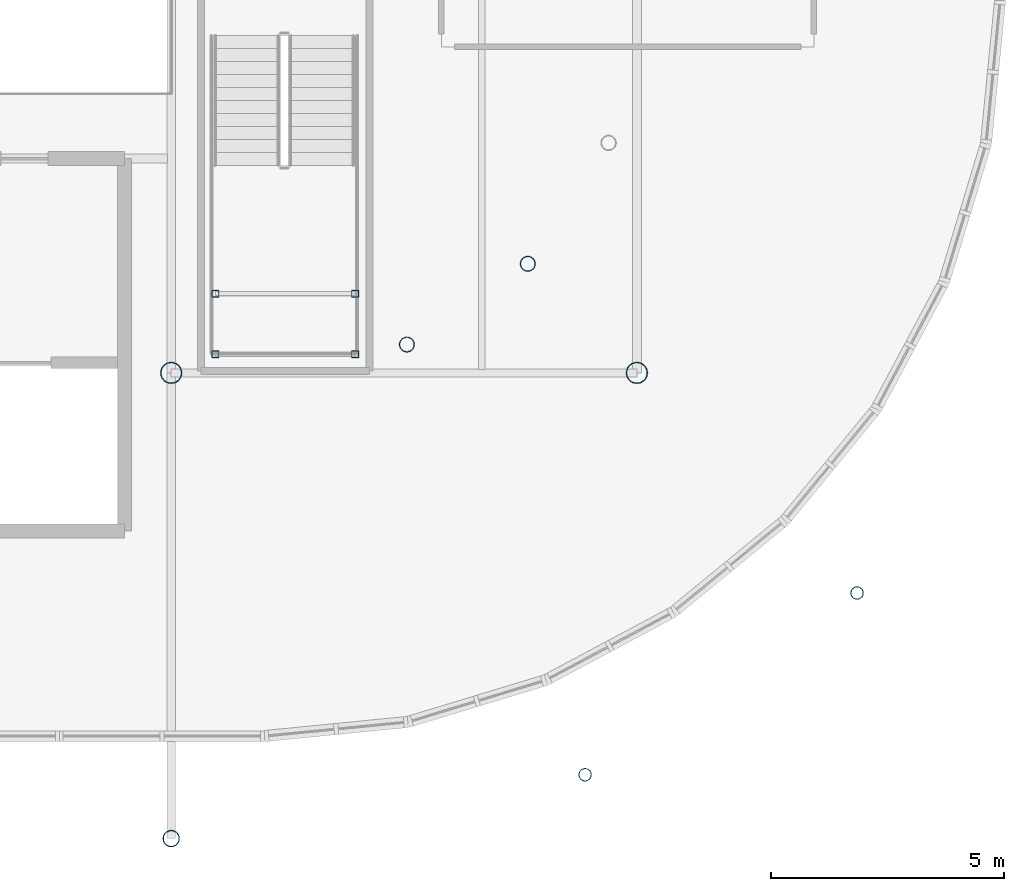
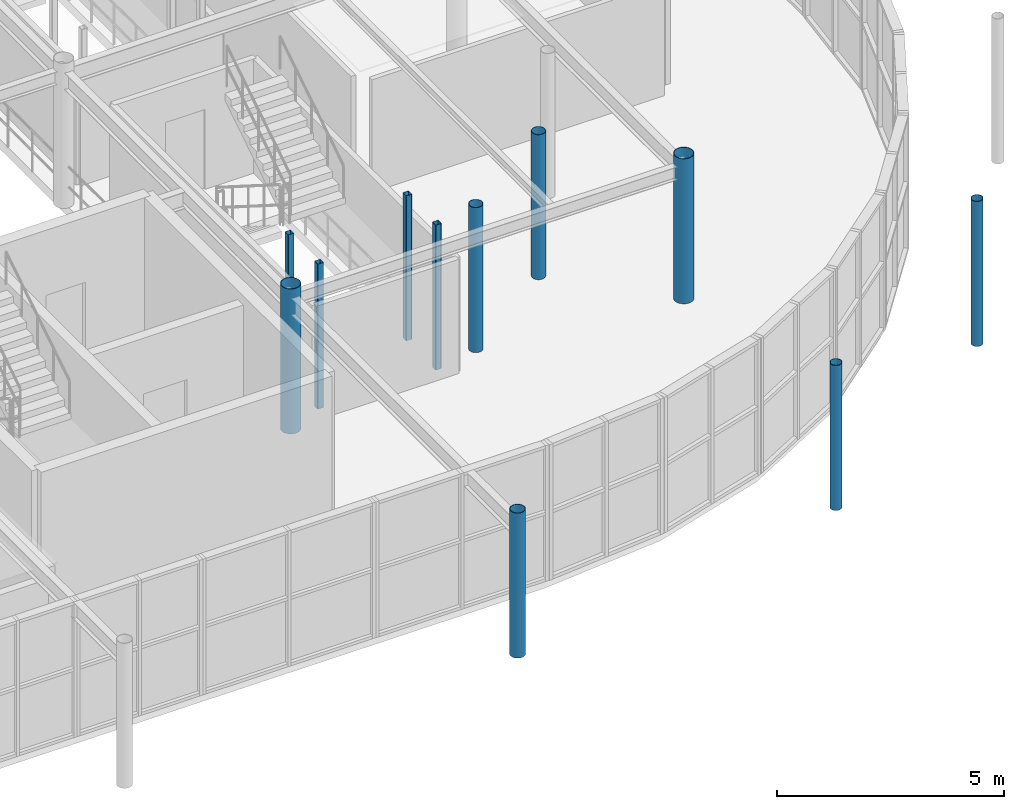
# One storey, part 27 of 98: 11 columns.
"""IFC4 building model written with IfcOpenShell, lengths in metres."""

from ifc_helpers import new_model, si_unit, derived_unit, direction, frame, origin, origin_2d_with_axis, place, context, subcontext, project, spatial, hollow_rectangle, hollow_circle, extrude, material, material_profile, profile_set, type_object, element, save


model = new_model("IFC4")

# Units and contexts
model_context = context("Model", 3, precision=1e-05, world=origin(), true_north=direction((0.0, 1.0)))
body_context = subcontext(model_context, "Body", "Model", "MODEL_VIEW")
ifc_project = project(units=[si_unit("LENGTHUNIT", "METRE"), si_unit("AREAUNIT", "SQUARE_METRE"), si_unit("VOLUMEUNIT", "CUBIC_METRE"), si_unit("PLANEANGLEUNIT", "RADIAN"), si_unit("MASSUNIT", "GRAM", prefix="KILO"), derived_unit("THERMALTRANSMITTANCEUNIT", [(si_unit("POWERUNIT", "WATT"), 1), (si_unit("LENGTHUNIT", "METRE"), -2), (si_unit("THERMODYNAMICTEMPERATUREUNIT", "KELVIN"), -1)])], contexts=[model_context])

# Site, building, storey
site_placement = place(None, origin())
site = spatial("IfcSite", under=ifc_project, at=site_placement, CompositionType="ELEMENT")
building_placement = place(site_placement, origin())
building = spatial("IfcBuilding", under=site, at=building_placement, Name="Cinnabar Yard Market Hall", CompositionType="ELEMENT")
storey_placement = place(building_placement, frame((0.0, 0.0, 4.5)))
storey = spatial("IfcBuildingStorey", under=building, at=storey_placement, Name="L01", CompositionType="ELEMENT", Elevation=4.5)

# Columns
ifc_material_1 = material(Name="Spotted-gum glulam-clad steel Grade 350 (350 MPa)", Category="steel")
ifc_material_profile_1 = material_profile(ifc_material_1, hollow_circle(Radius=0.228515625, WallThickness=0.0126953125, at=origin_2d_with_axis()), Name="457.0x12.7CHS")
ifc_profile_set_1 = profile_set([ifc_material_profile_1], Name="Spotted-gum glulam-clad steel Grade 350 (350 MPa)")
column_type_1 = type_object("IfcColumnType", Name="COL-C01", PredefinedType="COLUMN", material=ifc_profile_set_1)
for number, where, z_axis, x_axis, name in (
    (1, (146.0, 24.0, 0.0), (0.0, 0.0, 1.0), (1.0, 0.0, 0.0), "Tree Column V1I-08-01 L01"),
    (2, (156.0, 24.0, 0.0), (0.0, 0.0, 1.0), (1.0, 0.0, 0.0), "Tree Column V1I-09-01 L01"),
):
    element("IfcColumn", number, at=place(storey_placement, frame(where, z_axis=z_axis, x_axis=x_axis)), inside=storey, type_object=column_type_1, Name=name, PredefinedType="COLUMN", context=body_context, shape_type="SweptSolid", body=[
        extrude(hollow_circle(Radius=0.228515625, WallThickness=0.0126953125, at=origin_2d_with_axis()), origin(), (0.0, 0.0, 1.0), 3.89990234375),
    ])
ifc_material_profile_2 = material_profile(ifc_material_1, hollow_circle(Radius=0.177734375, WallThickness=0.0126953125, at=origin_2d_with_axis()), Name="355.6x12.7CHS")
ifc_profile_set_2 = profile_set([ifc_material_profile_2], Name="Spotted-gum glulam-clad steel Grade 350 (350 MPa)")
column_type_2 = type_object("IfcColumnType", Name="COL-C02E", PredefinedType="COLUMN", material=ifc_profile_set_2)
column_placement = place(storey_placement, frame((146.0, 14.0, 0.0), z_axis=(0.0, 0.0, 1.0), x_axis=(1.0, 0.0, 0.0)))
element("IfcColumn", 3, at=column_placement, inside=storey, type_object=column_type_2, Name="Tree Column V1S-07 L01", PredefinedType="COLUMN", context=body_context, shape_type="SweptSolid", body=[
    extrude(hollow_circle(Radius=0.177734375, WallThickness=0.0126953125, at=origin_2d_with_axis()), origin(), (0.0, 0.0, 1.0), 3.89990234375),
])
ifc_material_profile_3 = material_profile(ifc_material_1, hollow_circle(Radius=0.161865234375, WallThickness=0.009521484375, at=origin_2d_with_axis()), Name="323.9x9.5CHS")
ifc_profile_set_3 = profile_set([ifc_material_profile_3], Name="Spotted-gum glulam-clad steel Grade 350 (350 MPa)")
column_type_3 = type_object("IfcColumnType", Name="COL-C03", PredefinedType="COLUMN", material=ifc_profile_set_3)
for number, where, z_axis, x_axis, name in (
    (4, (151.0615234375, 24.60888671875, 0.0), (0.0, 0.0, 1.0), (1.0, 0.0, 0.0), "Tree Column V1IC-SE2 L01"),
    (5, (153.656982421875, 26.343017578125, 0.0), (0.0, 0.0, 1.0), (1.0, 0.0, 0.0), "Tree Column V1IC-SE4 L01"),
):
    element("IfcColumn", number, at=place(storey_placement, frame(where, z_axis=z_axis, x_axis=x_axis)), inside=storey, type_object=column_type_3, Name=name, PredefinedType="COLUMN", context=body_context, shape_type="SweptSolid", body=[
        extrude(hollow_circle(Radius=0.161865234375, WallThickness=0.009521484375, at=origin_2d_with_axis()), origin(), (0.0, 0.0, 1.0), 3.89990234375),
    ])
ifc_material_profile_4 = material_profile(ifc_material_1, hollow_circle(Radius=0.136474609375, WallThickness=0.00927734375, at=origin_2d_with_axis()), Name="273.1x9.3CHS")
ifc_profile_set_4 = profile_set([ifc_material_profile_4], Name="Spotted-gum glulam-clad steel Grade 350 (350 MPa)")
column_type_4 = type_object("IfcColumnType", Name="COL-C04E", PredefinedType="COLUMN", material=ifc_profile_set_4)
for number, where, z_axis, x_axis, name in (
    (6, (154.88818359375, 15.3701171875, 0.0), (0.0, 0.0, 1.0), (1.0, 0.0, 0.0), "Tree Column V1C-SE2 L01"),
    (7, (160.727783203125, 19.272216796875, 0.0), (0.0, 0.0, 1.0), (1.0, 0.0, 0.0), "Tree Column V1C-SE4 L01"),
):
    element("IfcColumn", number, at=place(storey_placement, frame(where, z_axis=z_axis, x_axis=x_axis)), inside=storey, type_object=column_type_4, Name=name, PredefinedType="COLUMN", context=body_context, shape_type="SweptSolid", body=[
        extrude(hollow_circle(Radius=0.136474609375, WallThickness=0.00927734375, at=origin_2d_with_axis()), origin(), (0.0, 0.0, 1.0), 3.89990234375),
    ])
ifc_material_2 = material(Name="Cold-formed steel C350L0", Category="steel")
ifc_material_profile_5 = material_profile(ifc_material_2, hollow_rectangle(XDim=0.14990234375, YDim=0.14990234375, WallThickness=0.006103515625, InnerFilletRadius=0.006103515625, OuterFilletRadius=0.011962890625, at=origin_2d_with_axis()), Name="150x150x6.0SHS")
ifc_profile_set_5 = profile_set([ifc_material_profile_5], Name="Cold-formed steel C350L0")
column_type_5 = type_object("IfcColumnType", Name="COL-C16", PredefinedType="COLUMN", material=ifc_profile_set_5)
for number, where, z_axis, x_axis, name in (
    (8, (146.949951171875, 24.39990234375, 0.0), (0.0, 0.0, 1.0), (1.0, 0.0, 0.0), "Feature Stair Post ST-F5-1 L01"),
    (9, (149.949951171875, 24.39990234375, 0.0), (0.0, 0.0, 1.0), (1.0, 0.0, 0.0), "Feature Stair Post ST-F5-2 L01"),
    (10, (146.949951171875, 25.699951171875, 0.0), (0.0, 0.0, 1.0), (1.0, 0.0, 0.0), "Feature Stair Post ST-F5-3 L01"),
    (11, (149.949951171875, 25.699951171875, 0.0), (0.0, 0.0, 1.0), (1.0, 0.0, 0.0), "Feature Stair Post ST-F5-4 L01"),
):
    element("IfcColumn", number, at=place(storey_placement, frame(where, z_axis=z_axis, x_axis=x_axis)), inside=storey, type_object=column_type_5, Name=name, PredefinedType="COLUMN", context=body_context, shape_type="SweptSolid", body=[
        extrude(hollow_rectangle(XDim=0.14990234375, YDim=0.14990234375, WallThickness=0.006103515625, InnerFilletRadius=0.006103515625, OuterFilletRadius=0.011962890625, at=origin_2d_with_axis()), origin(), (0.0, 0.0, 1.0), 3.89990234375),
    ])

save(model, "model.ifc")
